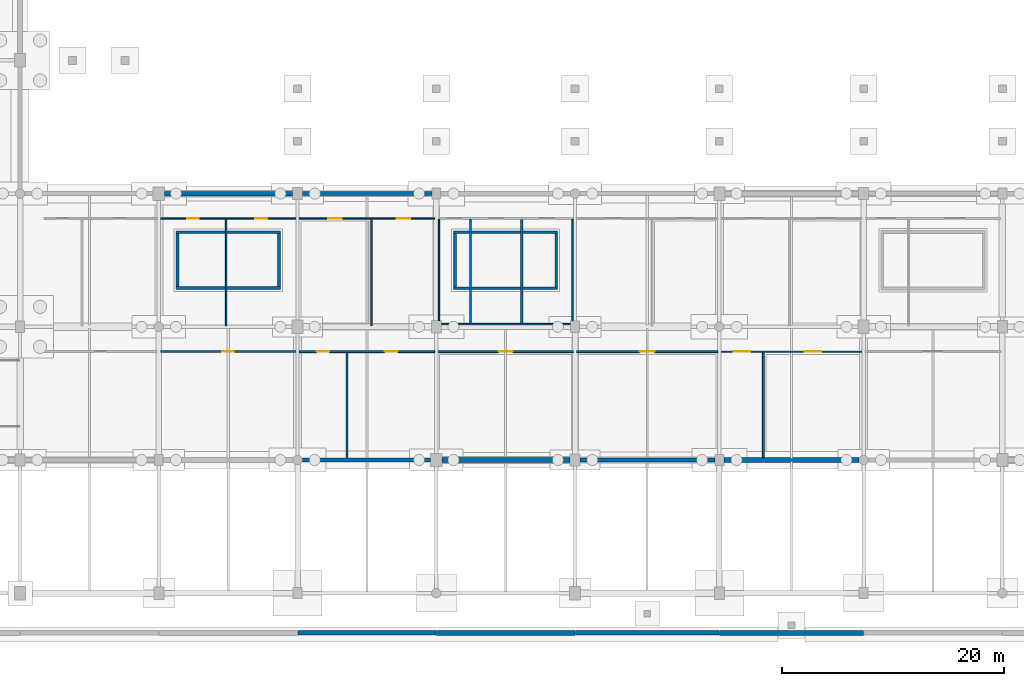
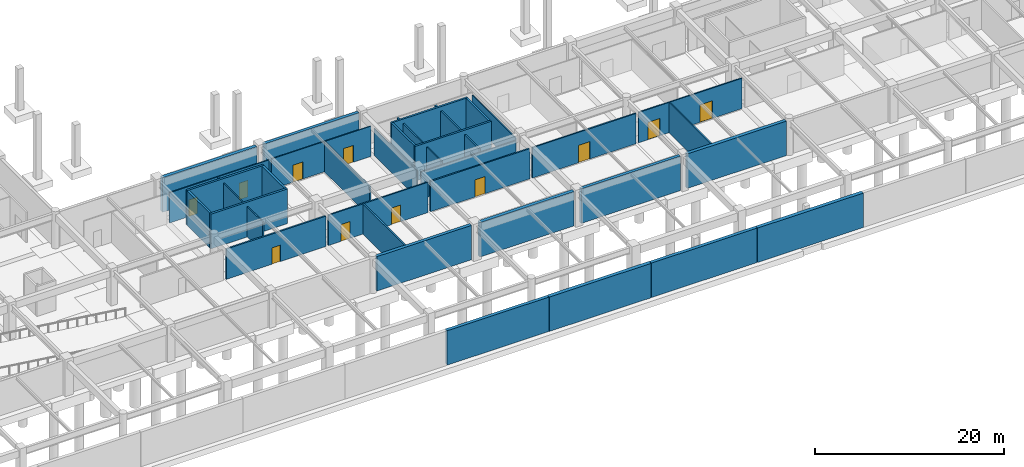
# One storey, part 25 of 56: 34 walls, 11 doors, 11 openings.
"""IFC4 building model written with IfcOpenShell, lengths in metres."""

from ifc_helpers import new_model, si_unit, direction, frame, frame_2d, origin, place, context, subcontext, project, spatial, rectangle, extrude, material, layer, layer_set, type_object, element, fill, save


model = new_model("IFC4")

# Units and contexts
model_context = context("Model", 3, precision=1e-05, world=origin(), true_north=direction((0.0, 1.0)))
body_context = subcontext(model_context, "Body", "Model", "MODEL_VIEW")
ifc_project = project(units=[si_unit("LENGTHUNIT", "METRE"), si_unit("AREAUNIT", "SQUARE_METRE"), si_unit("VOLUMEUNIT", "CUBIC_METRE"), si_unit("PLANEANGLEUNIT", "RADIAN"), si_unit("MASSUNIT", "GRAM", prefix="KILO")], contexts=[model_context])

# Site, building, storey
site_placement = place(None, origin())
site = spatial("IfcSite", under=ifc_project, at=site_placement, CompositionType="ELEMENT")
building_placement = place(site_placement, origin())
building = spatial("IfcBuilding", under=site, at=building_placement, Name="Kazenohara Klinker Stadium", CompositionType="ELEMENT")
storey_placement = place(building_placement, frame((0.0, 0.0, -4.800048828125)))
storey = spatial("IfcBuildingStorey", under=building, at=storey_placement, Name="B01", CompositionType="ELEMENT", Elevation=-4.800048828125)

# Walls
ifc_material_1 = material(Name="Concrete C40/50", Category="concrete")
ifc_layer_1 = layer(ifc_material_1, 0.39990234375)
ifc_layer_set_1 = layer_set([ifc_layer_1], Name="Concrete C40/50")
wall_type_1 = type_object("IfcWallType", Name="WAL-B01-PLINTH400", PredefinedType="USERDEFINED", material=ifc_layer_set_1)
wall_1_placement = place(storey_placement, frame((74.02001953125, -3.580078125, 0.0), z_axis=(0.0, 0.0, 1.0), x_axis=(1.0, 0.0, 0.0)))
element("IfcWall", 1, at=wall_1_placement, inside=storey, type_object=wall_type_1, Name="Street plinth retaining wall RW04 South-07", ObjectType="RETAINING WALL", PredefinedType="USERDEFINED", context=body_context, shape_type="SweptSolid", body=[
    extrude(rectangle(XDim=12.4599609375, YDim=0.39990234375, at=frame_2d((6.22998046875, 0.0))), origin(), (0.0, 0.0, 1.0), 4.4599609375),
])
wall_2_placement = place(storey_placement, frame((99.02001953125, -3.580078125, 0.0), z_axis=(0.0, 0.0, 1.0), x_axis=(1.0, 0.0, 0.0)))
element("IfcWall", 2, at=wall_2_placement, inside=storey, type_object=wall_type_1, Name="Street plinth retaining wall RW04 South-09", ObjectType="RETAINING WALL", PredefinedType="USERDEFINED", context=body_context, shape_type="SweptSolid", body=[
    extrude(rectangle(XDim=12.9599609375, YDim=0.39990234375, at=frame_2d((6.47998046875, 0.0))), origin(), (0.0, 0.0, 1.0), 4.4599609375),
])
ifc_layer_2 = layer(ifc_material_1, 0.43994140625)
ifc_layer_set_2 = layer_set([ifc_layer_2], Name="Concrete C40/50")
wall_type_2 = type_object("IfcWallType", Name="WAL-B01-PLINTH440", PredefinedType="USERDEFINED", material=ifc_layer_set_2)
wall_3_placement = place(storey_placement, frame((86.52001953125, -3.580078125, 0.0), z_axis=(0.0, 0.0, 1.0), x_axis=(1.0, 0.0, 0.0)))
element("IfcWall", 3, at=wall_3_placement, inside=storey, type_object=wall_type_2, Name="Street plinth retaining wall RW03 South-08", ObjectType="RETAINING WALL", PredefinedType="USERDEFINED", context=body_context, shape_type="SweptSolid", body=[
    extrude(rectangle(XDim=12.4599609375, YDim=0.43994140625, at=frame_2d((6.22998046875, 0.0))), origin(), (0.0, 0.0, 1.0), 4.4599609375),
])
wall_4_placement = place(storey_placement, frame((112.02001953125, -3.580078125, 0.0), z_axis=(0.0, 0.0, 1.0), x_axis=(1.0, 0.0, 0.0)))
element("IfcWall", 4, at=wall_4_placement, inside=storey, type_object=wall_type_2, Name="Street plinth retaining wall RW03 South-10", ObjectType="RETAINING WALL", PredefinedType="USERDEFINED", context=body_context, shape_type="SweptSolid", body=[
    extrude(rectangle(XDim=12.9599609375, YDim=0.43994140625, at=frame_2d((6.47998046875, 0.0))), origin(), (0.0, 0.0, 1.0), 4.4599609375),
])
ifc_layer_3 = layer(ifc_material_1, 0.3798828125)
ifc_layer_set_3 = layer_set([ifc_layer_3], Name="Concrete C40/50")
wall_type_3 = type_object("IfcWallType", Name="WAL-B01-RET380", PredefinedType="STANDARD", material=ifc_layer_set_3)
wall_5_placement = place(storey_placement, frame((74.428955078125, 12.0, 0.0), z_axis=(0.0, 0.0, 1.0), x_axis=(1.0, 0.0, 0.0)))
element("IfcWall", 5, at=wall_5_placement, inside=storey, type_object=wall_type_3, Name="Basement perimeter retaining wall RW02 X-06-01", PredefinedType="STANDARD", context=body_context, shape_type="SweptSolid", body=[
    extrude(rectangle(XDim=11.567138671875, YDim=0.3798828125, at=frame_2d((5.78369140625, 0.0))), origin(), (0.0, 0.0, 1.0), 4.4599609375),
])
wall_6_placement = place(storey_placement, frame((74.4541015625, 36.0, 0.0), z_axis=(0.0, 0.0, 1.0), x_axis=(1.0, 0.0, 0.0)))
element("IfcWall", 6, at=wall_6_placement, inside=storey, type_object=wall_type_3, Name="Basement perimeter retaining wall RW02 X-06-03", PredefinedType="STANDARD", context=body_context, shape_type="SweptSolid", body=[
    extrude(rectangle(XDim=11.641845703125, YDim=0.3798828125, at=frame_2d((5.82080078125, 0.0))), origin(), (0.0, 0.0, 1.0), 4.4599609375),
])
wall_7_placement = place(storey_placement, frame((99.4541015625, 12.0, 0.0), z_axis=(0.0, 0.0, 1.0), x_axis=(1.0, 0.0, 0.0)))
element("IfcWall", 7, at=wall_7_placement, inside=storey, type_object=wall_type_3, Name="Basement perimeter retaining wall RW02 X-08-01", PredefinedType="STANDARD", context=body_context, shape_type="SweptSolid", body=[
    extrude(rectangle(XDim=12.141845703125, YDim=0.3798828125, at=frame_2d((6.07080078125, 0.0))), origin(), (0.0, 0.0, 1.0), 4.4599609375),
])
ifc_layer_4 = layer(ifc_material_1, 0.419921875)
ifc_layer_set_4 = layer_set([ifc_layer_4], Name="Concrete C40/50")
wall_type_4 = type_object("IfcWallType", Name="WAL-B01-RET420", PredefinedType="STANDARD", material=ifc_layer_set_4)
for number, where, z_axis, x_axis, name in (
    (8, (62.00390625, 36.0, 0.0), (0.0, 0.0, 1.0), (1.0, 0.0, 0.0), "Basement perimeter retaining wall RW01 X-05-03"),
    (9, (87.00390625, 12.0, 0.0), (0.0, 0.0, 1.0), (1.0, 0.0, 0.0), "Basement perimeter retaining wall RW01 X-07-01"),
):
    element("IfcWall", number, at=place(storey_placement, frame(where, z_axis=z_axis, x_axis=x_axis)), inside=storey, type_object=wall_type_4, Name=name, PredefinedType="STANDARD", context=body_context, shape_type="SweptSolid", body=[
        extrude(rectangle(XDim=11.5419921875, YDim=0.419921875, at=frame_2d((5.77099609375, 0.0))), origin(), (0.0, 0.0, 1.0), 4.4599609375),
    ])
wall_8_placement = place(storey_placement, frame((112.404052734375, 12.0, 0.0), z_axis=(0.0, 0.0, 1.0), x_axis=(1.0, 0.0, 0.0)))
element("IfcWall", 10, at=wall_8_placement, inside=storey, type_object=wall_type_4, Name="Basement perimeter retaining wall RW01 X-09-01", PredefinedType="STANDARD", context=body_context, shape_type="SweptSolid", body=[
    extrude(rectangle(XDim=12.1669921875, YDim=0.419921875, at=frame_2d((6.08349609375, 0.0))), origin(), (0.0, 0.0, 1.0), 4.4599609375),
])
ifc_layer_5 = layer(ifc_material_1, 0.22998046875)
ifc_layer_set_5 = layer_set([ifc_layer_5], Name="Concrete C40/50")
wall_type_5 = type_object("IfcWallType", Name="WAL-CORE-230", PredefinedType="SHEAR", material=ifc_layer_set_5)
for number, where, z_axis, x_axis, name in (
    (11, (88.070068359375, 27.485107421875, 0.0), (0.0, 0.0, 1.0), (1.0, 0.0, 0.0), "Stairwell shear wall ST26 B01 South"),
    (12, (88.070068359375, 32.514892578125, 0.0), (0.0, 0.0, 1.0), (1.0, 0.0, 0.0), "Stairwell shear wall ST26 B01 North"),
):
    element("IfcWall", number, at=place(storey_placement, frame(where, z_axis=z_axis, x_axis=x_axis)), inside=storey, type_object=wall_type_5, Name=name, PredefinedType="SHEAR", context=body_context, shape_type="SweptSolid", body=[
        extrude(rectangle(XDim=9.35986328125, YDim=0.22998046875, at=frame_2d((4.679931640625, 0.0))), origin(), (0.0, 0.0, 1.0), 4.5),
    ])
for number, where, z_axis, x_axis, name in (
    (13, (88.18505859375, 27.60009765625, 0.0), (0.0, 0.0, 1.0), (0.0, 1.0, 0.0), "Stairwell shear wall ST26 B01 West"),
    (14, (97.31494140625, 27.60009765625, 0.0), (0.0, 0.0, 1.0), (0.0, 1.0, 0.0), "Stairwell shear wall ST26 B01 East"),
):
    element("IfcWall", number, at=place(storey_placement, frame(where, z_axis=z_axis, x_axis=x_axis)), inside=storey, type_object=wall_type_5, Name=name, PredefinedType="SHEAR", context=body_context, shape_type="SweptSolid", body=[
        extrude(rectangle(XDim=4.7998046875, YDim=0.22998046875, at=frame_2d((2.39990234375, 0.0))), origin(), (0.0, 0.0, 1.0), 4.5),
    ])
ifc_layer_6 = layer(ifc_material_1, 0.25)
ifc_layer_set_6 = layer_set([ifc_layer_6], Name="Concrete C40/50")
wall_type_6 = type_object("IfcWallType", Name="WAL-CORE-250", PredefinedType="SHEAR", material=ifc_layer_set_6)
for number, where, z_axis, x_axis, name in (
    (15, (63.050048828125, 27.485107421875, 0.0), (0.0, 0.0, 1.0), (1.0, 0.0, 0.0), "Stairwell shear wall ST25 B01 South"),
    (16, (63.050048828125, 32.514892578125, 0.0), (0.0, 0.0, 1.0), (1.0, 0.0, 0.0), "Stairwell shear wall ST25 B01 North"),
):
    element("IfcWall", number, at=place(storey_placement, frame(where, z_axis=z_axis, x_axis=x_axis)), inside=storey, type_object=wall_type_6, Name=name, PredefinedType="SHEAR", context=body_context, shape_type="SweptSolid", body=[
        extrude(rectangle(XDim=9.39990234375, YDim=0.25, at=frame_2d((4.699951171875, 0.0))), origin(), (0.0, 0.0, 1.0), 4.5),
    ])
for number, where, z_axis, x_axis, name in (
    (17, (63.175048828125, 27.610107421875, 0.0), (0.0, 0.0, 1.0), (0.0, 1.0, 0.0), "Stairwell shear wall ST25 B01 West"),
    (18, (72.324951171875, 27.610107421875, 0.0), (0.0, 0.0, 1.0), (0.0, 1.0, 0.0), "Stairwell shear wall ST25 B01 East"),
):
    element("IfcWall", number, at=place(storey_placement, frame(where, z_axis=z_axis, x_axis=x_axis)), inside=storey, type_object=wall_type_6, Name=name, PredefinedType="SHEAR", context=body_context, shape_type="SweptSolid", body=[
        extrude(rectangle(XDim=4.77978515625, YDim=0.25, at=frame_2d((2.389892578125, 0.0))), origin(), (0.0, 0.0, 1.0), 4.5),
    ])
ifc_material_2 = material(Name="Fire-rated gypsum board on acoustic studs", Category="gypsum")
ifc_layer_7 = layer(ifc_material_2, 0.110107421875)
ifc_layer_set_7 = layer_set([ifc_layer_7], Name="Fire-rated gypsum board on acoustic studs")
wall_type_7 = type_object("IfcWallType", Name="WAL-INT-P110", PredefinedType="PARTITIONING", material=ifc_layer_set_7)
wall_9_placement = place(storey_placement, frame((86.739990234375, 24.553955078125, 0.0), z_axis=(0.0, 0.0, 1.0), x_axis=(0.0, 1.0, 0.0)))
element("IfcWall", 19, at=wall_9_placement, inside=storey, type_object=wall_type_7, Name="Interior partition wall PT01 SPC-B01-07-02-1-1", PredefinedType="PARTITIONING", context=body_context, shape_type="SweptSolid", body=[
    extrude(rectangle(XDim=9.1259765625, YDim=0.110107421875, at=frame_2d((4.56298828125, 0.0))), origin(), (0.0, 0.0, 1.0), 3.52001953125),
])

# Wall, openings, doors
ifc_layer_8 = layer(ifc_material_2, 0.1201171875)
ifc_layer_set_8 = layer_set([ifc_layer_8], Name="Fire-rated gypsum board on acoustic studs")
wall_type_8 = type_object("IfcWallType", Name="WAL-INT-P120", PredefinedType="PARTITIONING", material=ifc_layer_set_8)
wall_10_placement = place(storey_placement, frame((61.659912109375, 33.760009765625, 0.0), z_axis=(0.0, 0.0, 1.0), x_axis=(1.0, 0.0, 0.0)))
wall_10 = element("IfcWall", 20, at=wall_10_placement, inside=storey, type_object=wall_type_8, Name="Interior partition wall PT02 SPC-B01-05-02-1-1", PredefinedType="PARTITIONING", context=body_context, shape_type="SweptSolid", body=[
    extrude(rectangle(XDim=12.18017578125, YDim=0.1201171875, at=frame_2d((6.090087890625, 0.0))), origin(), (0.0, 0.0, 1.0), 3.920166015625),
])
opening_1_placement = place(wall_10_placement, frame((3.44384765625, 0.0, 0.0), z_axis=(0.0, 0.0, 1.0), x_axis=(-1.0, 0.0, 0.0)))
opening_1 = element("IfcOpeningElement", 21, at=opening_1_placement, cuts=wall_10, Name="Opening ID07", PredefinedType="OPENING", context=body_context, shape_type="SweptSolid", body=[
    extrude(rectangle(XDim=1.06005859375, YDim=2.14990234375, at=frame_2d((0.530029296875, 1.074951171875))), frame((0.0, 0.070068359375, 0.0), z_axis=(0.0, -1.0, 0.0), x_axis=(1.0, 0.0, 0.0)), (0.0, 0.0, 1.0), 0.14013671875),
])
opening_2_placement = place(wall_10_placement, frame((9.62890625, 0.0, 0.0), z_axis=(0.0, 0.0, 1.0), x_axis=(-1.0, 0.0, 0.0)))
opening_2 = element("IfcOpeningElement", 22, at=opening_2_placement, cuts=wall_10, Name="Opening ID08", PredefinedType="OPENING", context=body_context, shape_type="SweptSolid", body=[
    extrude(rectangle(XDim=1.090087890625, YDim=2.159912109375, at=frame_2d((0.544921875, 1.080078125))), frame((0.0, 0.070068359375, 0.0), z_axis=(0.0, -1.0, 0.0), x_axis=(1.0, 0.0, 0.0)), (0.0, 0.0, 1.0), 0.14013671875),
])
ifc_material_3 = material(Name="Solid-core Hokkaido oak fire door", Category="wood")
door_type_1 = type_object("IfcDoorType", Name="DR-INT-07", OperationType="NOTDEFINED", PredefinedType="DOOR", material=ifc_material_3)
door_1_placement = place(opening_1_placement, origin())
door_1 = element("IfcDoor", 23, at=door_1_placement, inside=storey, type_object=door_type_1, Name="Interior door ID07 Visiting-Club Athlete Changing Room B01-0502A", OperationType="SINGLE_SWING_RIGHT", OverallHeight=2.14990234375, OverallWidth=1.06005859375, PredefinedType="DOOR", context=body_context, shape_type="SweptSolid", body=[
    extrude(rectangle(XDim=1.06005859375, YDim=2.14990234375, at=frame_2d((0.530029296875, 1.074951171875))), frame((0.0, 0.02490234375, 0.0), z_axis=(0.0, -1.0, 0.0), x_axis=(1.0, 0.0, 0.0)), (0.0, 0.0, 1.0), 0.050048828125),
])
fill(opening_1, door_1)
door_type_2 = type_object("IfcDoorType", Name="DR-INT-08", OperationType="NOTDEFINED", PredefinedType="DOOR", material=ifc_material_3)
door_2_placement = place(opening_2_placement, origin())
door_2 = element("IfcDoor", 24, at=door_2_placement, inside=storey, type_object=door_type_2, Name="Interior door ID08 Sports Hydrotherapy Recovery Clinic B01-0502B", OperationType="SINGLE_SWING_LEFT", OverallHeight=2.159912109375, OverallWidth=1.090087890625, PredefinedType="DOOR", context=body_context, shape_type="SweptSolid", body=[
    extrude(rectangle(XDim=1.090087890625, YDim=2.159912109375, at=frame_2d((0.544921875, 1.080078125))), frame((0.0, 0.02490234375, 0.0), z_axis=(0.0, -1.0, 0.0), x_axis=(1.0, 0.0, 0.0)), (0.0, 0.0, 1.0), 0.050048828125),
])
fill(opening_2, door_2)

wall_11_placement = place(storey_placement, frame((74.159912109375, 33.760009765625, 0.0), z_axis=(0.0, 0.0, 1.0), x_axis=(1.0, 0.0, 0.0)))
wall_11 = element("IfcWall", 25, at=wall_11_placement, inside=storey, type_object=wall_type_8, Name="Interior partition wall PT02 SPC-B01-06-02-1-1", PredefinedType="PARTITIONING", context=body_context, shape_type="SweptSolid", body=[
    extrude(rectangle(XDim=12.18017578125, YDim=0.1201171875, at=frame_2d((6.090087890625, 0.0))), origin(), (0.0, 0.0, 1.0), 3.920166015625),
])
opening_3_placement = place(wall_11_placement, frame((3.80810546875, 0.0, 0.0), z_axis=(0.0, 0.0, 1.0), x_axis=(-1.0, 0.0, 0.0)))
opening_3 = element("IfcOpeningElement", 26, at=opening_3_placement, cuts=wall_11, Name="Opening ID11", PredefinedType="OPENING", context=body_context, shape_type="SweptSolid", body=[
    extrude(rectangle(XDim=1.179931640625, YDim=2.199951171875, at=frame_2d((0.58984375, 1.10009765625))), frame((0.0, 0.070068359375, 0.0), z_axis=(0.0, -1.0, 0.0), x_axis=(1.0, 0.0, 0.0)), (0.0, 0.0, 1.0), 0.14013671875),
])
opening_4_placement = place(wall_11_placement, frame((9.9931640625, 0.0, 0.0), z_axis=(0.0, 0.0, 1.0), x_axis=(-1.0, 0.0, 0.0)))
opening_4 = element("IfcOpeningElement", 27, at=opening_4_placement, cuts=wall_11, Name="Opening ID12", PredefinedType="OPENING", context=body_context, shape_type="SweptSolid", body=[
    extrude(rectangle(XDim=1.2099609375, YDim=2.179931640625, at=frame_2d((0.60498046875, 1.08984375))), frame((0.0, 0.070068359375, 0.0), z_axis=(0.0, -1.0, 0.0), x_axis=(1.0, 0.0, 0.0)), (0.0, 0.0, 1.0), 0.14013671875),
])
door_type_3 = type_object("IfcDoorType", Name="DR-INT-11", OperationType="NOTDEFINED", PredefinedType="DOOR", material=ifc_material_3)
door_3_placement = place(opening_3_placement, origin())
door_3 = element("IfcDoor", 28, at=door_3_placement, inside=storey, type_object=door_type_3, Name="Interior door ID11 First-Team Athlete Changing Room B01-0602A", OperationType="SINGLE_SWING_RIGHT", OverallHeight=2.199951171875, OverallWidth=1.179931640625, PredefinedType="DOOR", context=body_context, shape_type="SweptSolid", body=[
    extrude(rectangle(XDim=1.179931640625, YDim=2.199951171875, at=frame_2d((0.58984375, 1.10009765625))), frame((0.0, 0.02490234375, 0.0), z_axis=(0.0, -1.0, 0.0), x_axis=(1.0, 0.0, 0.0)), (0.0, 0.0, 1.0), 0.050048828125),
])
fill(opening_3, door_3)
door_type_4 = type_object("IfcDoorType", Name="DR-INT-12", OperationType="NOTDEFINED", PredefinedType="DOOR", material=ifc_material_3)
door_4_placement = place(opening_4_placement, origin())
door_4 = element("IfcDoor", 29, at=door_4_placement, inside=storey, type_object=door_type_4, Name="Interior door ID12 Indoor Turf Sprint Training Arena B01-0602B", OperationType="SINGLE_SWING_LEFT", OverallHeight=2.179931640625, OverallWidth=1.2099609375, PredefinedType="DOOR", context=body_context, shape_type="SweptSolid", body=[
    extrude(rectangle(XDim=1.2099609375, YDim=2.179931640625, at=frame_2d((0.60498046875, 1.08984375))), frame((0.0, 0.02490234375, 0.0), z_axis=(0.0, -1.0, 0.0), x_axis=(1.0, 0.0, 0.0)), (0.0, 0.0, 1.0), 0.050048828125),
])
fill(opening_4, door_4)

# Walls
wall_12_placement = place(storey_placement, frame((98.760009765625, 24.50390625, 0.0), z_axis=(0.0, 0.0, 1.0), x_axis=(0.0, 1.0, 0.0)))
element("IfcWall", 30, at=wall_12_placement, inside=storey, type_object=wall_type_8, Name="Interior partition wall PT02 SPC-B01-07-02-1-2", PredefinedType="PARTITIONING", context=body_context, shape_type="SweptSolid", body=[
    extrude(rectangle(XDim=9.176025390625, YDim=0.1201171875, at=frame_2d((4.587890625, 0.0))), origin(), (0.0, 0.0, 1.0), 3.6201171875),
])
ifc_layer_9 = layer(ifc_material_2, 0.139892578125)
ifc_layer_set_9 = layer_set([ifc_layer_9], Name="Fire-rated gypsum board on acoustic studs")
wall_type_9 = type_object("IfcWallType", Name="WAL-INT-P140", PredefinedType="PARTITIONING", material=ifc_layer_set_9)
for number, where, z_axis, x_axis, name in (
    (31, (67.5673828125, 24.080078125, 0.0), (0.0, 0.0, 1.0), (0.0, 1.0, 0.0), "Interior partition wall PT03 SPC-B01-05-02-1-2"),
    (32, (80.67626953125, 24.080078125, 0.0), (0.0, 0.0, 1.0), (0.0, 1.0, 0.0), "Interior partition wall PT03 SPC-B01-06-02-1-2"),
):
    element("IfcWall", number, at=place(storey_placement, frame(where, z_axis=z_axis, x_axis=x_axis)), inside=storey, type_object=wall_type_9, Name=name, PredefinedType="PARTITIONING", context=body_context, shape_type="SweptSolid", body=[
        extrude(rectangle(XDim=9.614990234375, YDim=0.139892578125, at=frame_2d((4.8076171875, 0.0))), origin(), (0.0, 0.0, 1.0), 3.920166015625),
    ])
wall_13_placement = place(storey_placement, frame((86.9541015625, 24.239990234375, 0.0), z_axis=(0.0, 0.0, 1.0), x_axis=(1.0, 0.0, 0.0)))
element("IfcWall", 33, at=wall_13_placement, inside=storey, type_object=wall_type_9, Name="Interior partition wall PT03 SPC-B01-07-02-1-3", PredefinedType="PARTITIONING", context=body_context, shape_type="SweptSolid", body=[
    extrude(rectangle(XDim=11.641845703125, YDim=0.139892578125, at=frame_2d((5.82080078125, 0.0))), origin(), (0.0, 0.0, 1.0), 3.52001953125),
])

# Wall, openings, doors
ifc_layer_10 = layer(ifc_material_2, 0.14990234375)
ifc_layer_set_10 = layer_set([ifc_layer_10], Name="Fire-rated gypsum board on acoustic studs")
wall_type_10 = type_object("IfcWallType", Name="WAL-INT-P150", PredefinedType="PARTITIONING", material=ifc_layer_set_10)
wall_14_placement = place(storey_placement, frame((112.159912109375, 21.760009765625, 0.0), z_axis=(0.0, 0.0, 1.0), x_axis=(1.0, 0.0, 0.0)))
wall_14 = element("IfcWall", 34, at=wall_14_placement, inside=storey, type_object=wall_type_10, Name="Interior partition wall PT04 SPC-B01-09-01-1-1", PredefinedType="PARTITIONING", context=body_context, shape_type="SweptSolid", body=[
    extrude(rectangle(XDim=12.68017578125, YDim=0.14990234375, at=frame_2d((6.340087890625, 0.0))), origin(), (0.0, 0.0, 1.0), 3.920166015625),
])
opening_5_placement = place(wall_14_placement, frame((2.60205078125, 0.0, 0.0), z_axis=(0.0, 0.0, 1.0), x_axis=(-1.0, 0.0, 0.0)))
opening_5 = element("IfcOpeningElement", 35, at=opening_5_placement, cuts=wall_14, Name="Opening ID20", PredefinedType="OPENING", context=body_context, shape_type="SweptSolid", body=[
    extrude(rectangle(XDim=1.47998046875, YDim=2.239990234375, at=frame_2d((0.739990234375, 1.1201171875))), frame((0.0, 0.0849609375, 0.0), z_axis=(0.0, -1.0, 0.0), x_axis=(1.0, 0.0, 0.0)), (0.0, 0.0, 1.0), 0.169921875),
])
opening_6_placement = place(wall_14_placement, frame((9.0419921875, 0.0, 0.0), z_axis=(0.0, 0.0, 1.0), x_axis=(-1.0, 0.0, 0.0)))
opening_6 = element("IfcOpeningElement", 36, at=opening_6_placement, cuts=wall_14, Name="Opening ID21", PredefinedType="OPENING", context=body_context, shape_type="SweptSolid", body=[
    extrude(rectangle(XDim=1.52001953125, YDim=2.280029296875, at=frame_2d((0.760009765625, 1.14013671875))), frame((0.0, 0.0849609375, 0.0), z_axis=(0.0, -1.0, 0.0), x_axis=(1.0, 0.0, 0.0)), (0.0, 0.0, 1.0), 0.169921875),
])
ifc_material_4 = material(Name="Painted steel plant fire door", Category="steel")
door_type_5 = type_object("IfcDoorType", Name="DR-INT-20", OperationType="NOTDEFINED", PredefinedType="DOOR", material=ifc_material_4)
door_5_placement = place(opening_5_placement, origin())
door_5 = element("IfcDoor", 37, at=door_5_placement, inside=storey, type_object=door_type_5, Name="Interior door ID20 Electrical Switchgear Plant B01-0901A", OperationType="SINGLE_SWING_LEFT", OverallHeight=2.239990234375, OverallWidth=1.47998046875, PredefinedType="DOOR", context=body_context, shape_type="SweptSolid", body=[
    extrude(rectangle(XDim=1.47998046875, YDim=2.239990234375, at=frame_2d((0.739990234375, 1.1201171875))), frame((0.0, 0.02490234375, 0.0), z_axis=(0.0, -1.0, 0.0), x_axis=(1.0, 0.0, 0.0)), (0.0, 0.0, 1.0), 0.050048828125),
])
fill(opening_5, door_5)
door_type_6 = type_object("IfcDoorType", Name="DR-INT-21", OperationType="NOTDEFINED", PredefinedType="DOOR", material=ifc_material_4)
door_6_placement = place(opening_6_placement, origin())
door_6 = element("IfcDoor", 38, at=door_6_placement, inside=storey, type_object=door_type_6, Name="Interior door ID21 Visiting-Club Athlete Changing Room B01-0901B", OperationType="SINGLE_SWING_RIGHT", OverallHeight=2.280029296875, OverallWidth=1.52001953125, PredefinedType="DOOR", context=body_context, shape_type="SweptSolid", body=[
    extrude(rectangle(XDim=1.52001953125, YDim=2.280029296875, at=frame_2d((0.760009765625, 1.14013671875))), frame((0.0, 0.02490234375, 0.0), z_axis=(0.0, -1.0, 0.0), x_axis=(1.0, 0.0, 0.0)), (0.0, 0.0, 1.0), 0.050048828125),
])
fill(opening_6, door_6)

ifc_layer_11 = layer(ifc_material_2, 0.169921875)
ifc_layer_set_11 = layer_set([ifc_layer_11], Name="Fire-rated gypsum board on acoustic studs")
wall_type_11 = type_object("IfcWallType", Name="WAL-INT-P170", PredefinedType="PARTITIONING", material=ifc_layer_set_11)
wall_15_placement = place(storey_placement, frame((74.159912109375, 21.760009765625, 0.0), z_axis=(0.0, 0.0, 1.0), x_axis=(1.0, 0.0, 0.0)))
wall_15 = element("IfcWall", 39, at=wall_15_placement, inside=storey, type_object=wall_type_11, Name="Interior partition wall PT05 SPC-B01-06-01-1-1", PredefinedType="PARTITIONING", context=body_context, shape_type="SweptSolid", body=[
    extrude(rectangle(XDim=12.18017578125, YDim=0.169921875, at=frame_2d((6.090087890625, 0.0))), origin(), (0.0, 0.0, 1.0), 3.920166015625),
])
opening_7_placement = place(wall_15_placement, frame((2.676025390625, 0.0, 0.0), z_axis=(0.0, 0.0, 1.0), x_axis=(-1.0, 0.0, 0.0)))
opening_7 = element("IfcOpeningElement", 40, at=opening_7_placement, cuts=wall_15, Name="Opening ID09", PredefinedType="OPENING", context=body_context, shape_type="SweptSolid", body=[
    extrude(rectangle(XDim=1.1201171875, YDim=2.179931640625, at=frame_2d((0.56005859375, 1.08984375))), frame((0.0, 0.094970703125, 0.0), z_axis=(0.0, -1.0, 0.0), x_axis=(1.0, 0.0, 0.0)), (0.0, 0.0, 1.0), 0.18994140625),
])
opening_8_placement = place(wall_15_placement, frame((8.86083984375, 0.0, 0.0), z_axis=(0.0, 0.0, 1.0), x_axis=(-1.0, 0.0, 0.0)))
opening_8 = element("IfcOpeningElement", 41, at=opening_8_placement, cuts=wall_15, Name="Opening ID10", PredefinedType="OPENING", context=body_context, shape_type="SweptSolid", body=[
    extrude(rectangle(XDim=1.14990234375, YDim=2.14990234375, at=frame_2d((0.574951171875, 1.074951171875))), frame((0.0, 0.094970703125, 0.0), z_axis=(0.0, -1.0, 0.0), x_axis=(1.0, 0.0, 0.0)), (0.0, 0.0, 1.0), 0.18994140625),
])
door_type_7 = type_object("IfcDoorType", Name="DR-INT-09", OperationType="NOTDEFINED", PredefinedType="DOOR", material=ifc_material_3)
door_7_placement = place(opening_7_placement, origin())
door_7 = element("IfcDoor", 42, at=door_7_placement, inside=storey, type_object=door_type_7, Name="Interior door ID09 Snow-Melt Hydronic Chiller Plant B01-0601A", OperationType="SINGLE_SWING_RIGHT", OverallHeight=2.179931640625, OverallWidth=1.1201171875, PredefinedType="DOOR", context=body_context, shape_type="SweptSolid", body=[
    extrude(rectangle(XDim=1.1201171875, YDim=2.179931640625, at=frame_2d((0.56005859375, 1.08984375))), frame((0.0, 0.02490234375, 0.0), z_axis=(0.0, -1.0, 0.0), x_axis=(1.0, 0.0, 0.0)), (0.0, 0.0, 1.0), 0.050048828125),
])
fill(opening_7, door_7)
door_type_8 = type_object("IfcDoorType", Name="DR-INT-10", OperationType="NOTDEFINED", PredefinedType="DOOR", material=ifc_material_3)
door_8_placement = place(opening_8_placement, origin())
door_8 = element("IfcDoor", 43, at=door_8_placement, inside=storey, type_object=door_type_8, Name="Interior door ID10 Match Officials Dressing Room B01-0601B", OperationType="SINGLE_SWING_LEFT", OverallHeight=2.14990234375, OverallWidth=1.14990234375, PredefinedType="DOOR", context=body_context, shape_type="SweptSolid", body=[
    extrude(rectangle(XDim=1.14990234375, YDim=2.14990234375, at=frame_2d((0.574951171875, 1.074951171875))), frame((0.0, 0.02490234375, 0.0), z_axis=(0.0, -1.0, 0.0), x_axis=(1.0, 0.0, 0.0)), (0.0, 0.0, 1.0), 0.050048828125),
])
fill(opening_8, door_8)

# Wall, opening, door
wall_16_placement = place(storey_placement, frame((86.659912109375, 21.760009765625, 0.0), z_axis=(0.0, 0.0, 1.0), x_axis=(1.0, 0.0, 0.0)))
wall_16 = element("IfcWall", 44, at=wall_16_placement, inside=storey, type_object=wall_type_11, Name="Interior partition wall PT05 SPC-B01-07-01-1-1", PredefinedType="PARTITIONING", context=body_context, shape_type="SweptSolid", body=[
    extrude(rectangle(XDim=12.18017578125, YDim=0.169921875, at=frame_2d((6.090087890625, 0.0))), origin(), (0.0, 0.0, 1.0), 3.920166015625),
])
opening_9_placement = place(wall_16_placement, frame((6.7099609375, 0.0, 0.0), z_axis=(0.0, 0.0, 1.0), x_axis=(-1.0, 0.0, 0.0)))
opening_9 = element("IfcOpeningElement", 45, at=opening_9_placement, cuts=wall_16, Name="Opening ID13", PredefinedType="OPENING", context=body_context, shape_type="SweptSolid", body=[
    extrude(rectangle(XDim=1.239990234375, YDim=2.219970703125, at=frame_2d((0.6201171875, 1.10986328125))), frame((0.0, 0.094970703125, 0.0), z_axis=(0.0, -1.0, 0.0), x_axis=(1.0, 0.0, 0.0)), (0.0, 0.0, 1.0), 0.18994140625),
])
door_type_9 = type_object("IfcDoorType", Name="DR-INT-13", OperationType="NOTDEFINED", PredefinedType="DOOR", material=ifc_material_3)
door_9_placement = place(opening_9_placement, origin())
door_9 = element("IfcDoor", 46, at=door_9_placement, inside=storey, type_object=door_type_9, Name="Interior door ID13 Sports Hydrotherapy Recovery Clinic B01-0701A", OperationType="SINGLE_SWING_RIGHT", OverallHeight=2.219970703125, OverallWidth=1.239990234375, PredefinedType="DOOR", context=body_context, shape_type="SweptSolid", body=[
    extrude(rectangle(XDim=1.239990234375, YDim=2.219970703125, at=frame_2d((0.6201171875, 1.10986328125))), frame((0.0, 0.02490234375, 0.0), z_axis=(0.0, -1.0, 0.0), x_axis=(1.0, 0.0, 0.0)), (0.0, 0.0, 1.0), 0.050048828125),
])
fill(opening_9, door_9)

# Wall
wall_17_placement = place(storey_placement, frame((89.582275390625, 24.31494140625, 0.0), z_axis=(0.0, 0.0, 1.0), x_axis=(0.0, 1.0, 0.0)))
element("IfcWall", 47, at=wall_17_placement, inside=storey, type_object=wall_type_11, Name="Interior partition wall PT05 SPC-B01-07-02-1-5", PredefinedType="PARTITIONING", context=body_context, shape_type="SweptSolid", body=[
    extrude(rectangle(XDim=9.364990234375, YDim=0.169921875, at=frame_2d((4.6826171875, 0.0))), origin(), (0.0, 0.0, 1.0), 3.920166015625),
])

# Wall, opening, door
wall_18_placement = place(storey_placement, frame((99.159912109375, 21.760009765625, 0.0), z_axis=(0.0, 0.0, 1.0), x_axis=(1.0, 0.0, 0.0)))
wall_18 = element("IfcWall", 48, at=wall_18_placement, inside=storey, type_object=wall_type_11, Name="Interior partition wall PT05 SPC-B01-08-01-1-1", PredefinedType="PARTITIONING", context=body_context, shape_type="SweptSolid", body=[
    extrude(rectangle(XDim=12.68017578125, YDim=0.169921875, at=frame_2d((6.340087890625, 0.0))), origin(), (0.0, 0.0, 1.0), 3.920166015625),
])
opening_10_placement = place(wall_18_placement, frame((7.02001953125, 0.0, 0.0), z_axis=(0.0, 0.0, 1.0), x_axis=(-1.0, 0.0, 0.0)))
opening_10 = element("IfcOpeningElement", 49, at=opening_10_placement, cuts=wall_18, Name="Opening ID17", PredefinedType="OPENING", context=body_context, shape_type="SweptSolid", body=[
    extrude(rectangle(XDim=1.360107421875, YDim=2.25, at=frame_2d((0.68017578125, 1.125))), frame((0.0, 0.094970703125, 0.0), z_axis=(0.0, -1.0, 0.0), x_axis=(1.0, 0.0, 0.0)), (0.0, 0.0, 1.0), 0.18994140625),
])
door_type_10 = type_object("IfcDoorType", Name="DR-INT-17", OperationType="NOTDEFINED", PredefinedType="DOOR", material=ifc_material_3)
door_10_placement = place(opening_10_placement, origin())
door_10 = element("IfcDoor", 50, at=door_10_placement, inside=storey, type_object=door_type_10, Name="Interior door ID17 Indoor Turf Sprint Training Arena B01-0801A", OperationType="SINGLE_SWING_RIGHT", OverallHeight=2.25, OverallWidth=1.360107421875, PredefinedType="DOOR", context=body_context, shape_type="SweptSolid", body=[
    extrude(rectangle(XDim=1.360107421875, YDim=2.25, at=frame_2d((0.68017578125, 1.125))), frame((0.0, 0.02490234375, 0.0), z_axis=(0.0, -1.0, 0.0), x_axis=(1.0, 0.0, 0.0)), (0.0, 0.0, 1.0), 0.050048828125),
])
fill(opening_10, door_10)

# Wall
wall_19_placement = place(storey_placement, frame((115.964111328125, 12.2119140625, 0.0), z_axis=(0.0, 0.0, 1.0), x_axis=(0.0, 1.0, 0.0)))
element("IfcWall", 51, at=wall_19_placement, inside=storey, type_object=wall_type_11, Name="Interior partition wall PT05 SPC-B01-09-01-1-2", PredefinedType="PARTITIONING", context=body_context, shape_type="SweptSolid", body=[
    extrude(rectangle(XDim=9.468017578125, YDim=0.169921875, at=frame_2d((4.73388671875, 0.0))), origin(), (0.0, 0.0, 1.0), 3.920166015625),
])

# Wall, opening, door
ifc_layer_12 = layer(ifc_material_2, 0.18994140625)
ifc_layer_set_12 = layer_set([ifc_layer_12], Name="Fire-rated gypsum board on acoustic studs")
wall_type_12 = type_object("IfcWallType", Name="WAL-INT-P190", PredefinedType="PARTITIONING", material=ifc_layer_set_12)
wall_20_placement = place(storey_placement, frame((61.659912109375, 21.760009765625, 0.0), z_axis=(0.0, 0.0, 1.0), x_axis=(1.0, 0.0, 0.0)))
wall_20 = element("IfcWall", 52, at=wall_20_placement, inside=storey, type_object=wall_type_12, Name="Interior partition wall PT06 SPC-B01-05-01-1-1", PredefinedType="PARTITIONING", context=body_context, shape_type="SweptSolid", body=[
    extrude(rectangle(XDim=12.18017578125, YDim=0.18994140625, at=frame_2d((6.090087890625, 0.0))), origin(), (0.0, 0.0, 1.0), 3.920166015625),
])
opening_11_placement = place(wall_20_placement, frame((6.60498046875, 0.0, 0.0), z_axis=(0.0, 0.0, 1.0), x_axis=(-1.0, 0.0, 0.0)))
opening_11 = element("IfcOpeningElement", 53, at=opening_11_placement, cuts=wall_20, Name="Opening ID06", PredefinedType="OPENING", context=body_context, shape_type="SweptSolid", body=[
    extrude(rectangle(XDim=1.030029296875, YDim=2.1201171875, at=frame_2d((0.51513671875, 1.06005859375))), frame((0.0, 0.10498046875, 0.0), z_axis=(0.0, -1.0, 0.0), x_axis=(1.0, 0.0, 0.0)), (0.0, 0.0, 1.0), 0.2099609375),
])
door_type_11 = type_object("IfcDoorType", Name="DR-INT-06", OperationType="NOTDEFINED", PredefinedType="DOOR", material=ifc_material_3)
door_11_placement = place(opening_11_placement, origin())
door_11 = element("IfcDoor", 54, at=door_11_placement, inside=storey, type_object=door_type_11, Name="Interior door ID06 Doping Control Medical Laboratory B01-0501A", OperationType="SINGLE_SWING_LEFT", OverallHeight=2.1201171875, OverallWidth=1.030029296875, PredefinedType="DOOR", context=body_context, shape_type="SweptSolid", body=[
    extrude(rectangle(XDim=1.030029296875, YDim=2.1201171875, at=frame_2d((0.51513671875, 1.06005859375))), frame((0.0, 0.02490234375, 0.0), z_axis=(0.0, -1.0, 0.0), x_axis=(1.0, 0.0, 0.0)), (0.0, 0.0, 1.0), 0.050048828125),
])
fill(opening_11, door_11)

# Walls
wall_21_placement = place(storey_placement, frame((78.4716796875, 12.19189453125, 0.0), z_axis=(0.0, 0.0, 1.0), x_axis=(0.0, 1.0, 0.0)))
element("IfcWall", 55, at=wall_21_placement, inside=storey, type_object=wall_type_12, Name="Interior partition wall PT06 SPC-B01-06-01-1-2", PredefinedType="PARTITIONING", context=body_context, shape_type="SweptSolid", body=[
    extrude(rectangle(XDim=9.47802734375, YDim=0.18994140625, at=frame_2d((4.739013671875, 0.0))), origin(), (0.0, 0.0, 1.0), 3.920166015625),
])
wall_22_placement = place(storey_placement, frame((94.201171875, 24.31494140625, 0.0), z_axis=(0.0, 0.0, 1.0), x_axis=(0.0, 1.0, 0.0)))
element("IfcWall", 56, at=wall_22_placement, inside=storey, type_object=wall_type_12, Name="Interior partition wall PT06 SPC-B01-07-02-1-6", PredefinedType="PARTITIONING", context=body_context, shape_type="SweptSolid", body=[
    extrude(rectangle(XDim=9.364990234375, YDim=0.18994140625, at=frame_2d((4.6826171875, 0.0))), origin(), (0.0, 0.0, 1.0), 3.920166015625),
])

save(model, "model.ifc")
